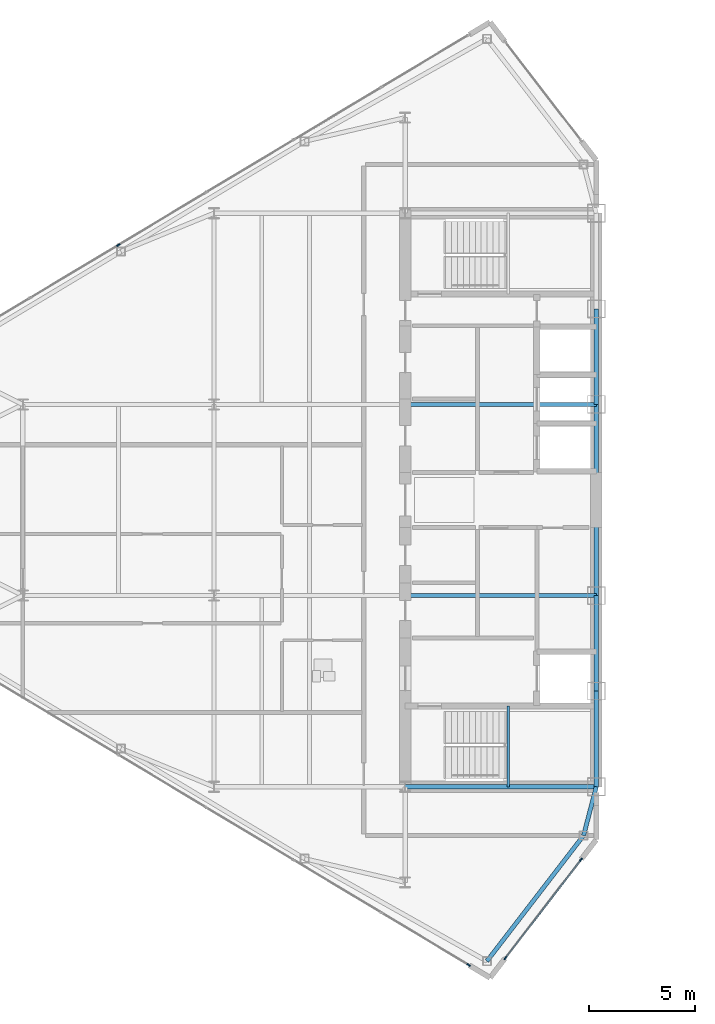
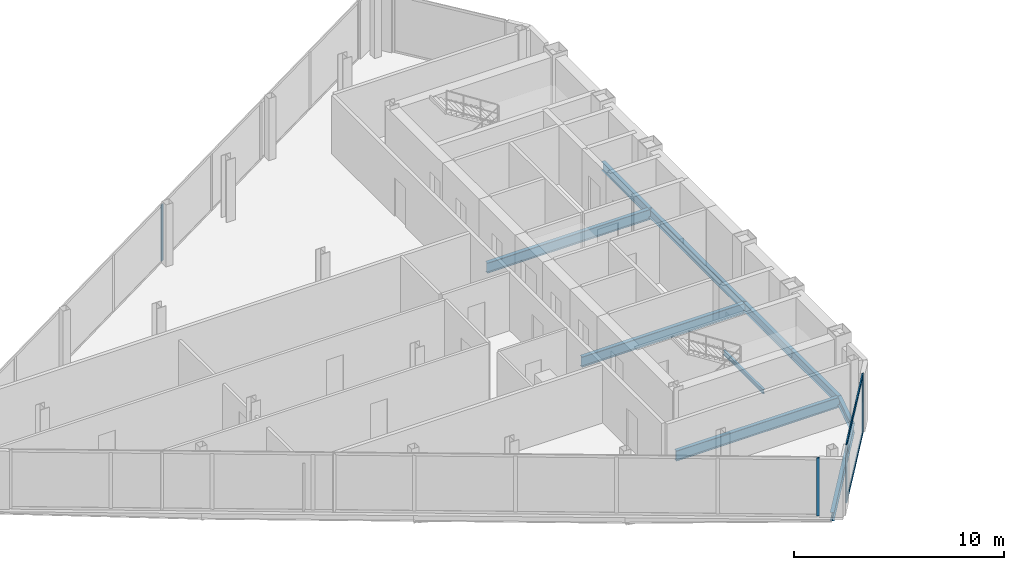
# One storey, part 8 of 25: 10 beams, 6 members, 3 elements without a shape of their own.
"""IFC4 building model written with IfcOpenShell, lengths in metres."""

import ifcopenshell
import ifcopenshell.guid

model = None  # the IFC model being written
_history = None  # IfcOwnerHistory: only IFC2X3 demands one
_inside = {}  # id of a spatial element -> (the spatial element, [elements in it])
_under = {}  # id of a project, library or spatial element -> (it, [spatial elements below it])
_declared = {}  # id of a project -> (the project, [libraries it declares])
_typed = {}  # id of a type object -> (the type object, [elements of that type])
_made_of = {}  # id of a material, layer set ... -> (it, [elements and type objects made of it])


def new_model(schema):
    """Start an empty IFC model of exactly this schema.

    Asked for "IFC4X3", IfcOpenShell would pick the latest addendum, in which some entities
    have other attributes; the version numbers below select the first issue.
    IFC2X3 requires an IfcOwnerHistory on every rooted entity: one is made here for all.
    """
    global model, _history
    if schema == "IFC4X3":
        model = ifcopenshell.file(schema_version=(4, 3, 0, 0))
    else:
        model = ifcopenshell.file(schema=schema)
    _inside.clear()
    _under.clear()
    _declared.clear()
    _typed.clear()
    _made_of.clear()
    _history = None
    if model.schema == "IFC2X3":
        org = make("IfcOrganization", Name="unknown")
        user = make(
            "IfcPersonAndOrganization",
            ThePerson=make("IfcPerson", FamilyName="unknown"),
            TheOrganization=org,
        )
        app = make(
            "IfcApplication",
            ApplicationDeveloper=org,
            Version="unknown",
            ApplicationFullName="unknown",
            ApplicationIdentifier="unknown",
        )
        _history = make(
            "IfcOwnerHistory",
            OwningUser=user,
            OwningApplication=app,
            ChangeAction="ADDED",
            CreationDate=0,
        )
    return model


def make(cls, **values):
    """One entity of the class cls with the attributes given. An attribute that is None is left unset."""
    return model.create_entity(
        cls, **{name: value for name, value in values.items() if value is not None}
    )


def rooted(cls, **values):
    """An entity with a GlobalId (a new one), such as an element, a storey or a relation."""
    return make(cls, GlobalId=ifcopenshell.guid.new(), OwnerHistory=_history, **values)


def si_unit(unit_type, name, prefix=None):
    """IfcSIUnit, for example si_unit("LENGTHUNIT", "METRE", prefix="MILLI")."""
    return make("IfcSIUnit", UnitType=unit_type, Prefix=prefix, Name=name)


def assignment(units):
    """IfcUnitAssignment: the units of a project."""
    return None if units is None else make("IfcUnitAssignment", Units=units)


def point(xyz):
    """IfcCartesianPoint."""
    return None if xyz is None else make("IfcCartesianPoint", Coordinates=xyz)


def direction(xyz):
    """IfcDirection."""
    return None if xyz is None else make("IfcDirection", DirectionRatios=xyz)


def frame(location, z_axis=None, x_axis=None):
    """IfcAxis2Placement3D, a coordinate frame: its origin and axes. An axis left out is left unset."""
    return make(
        "IfcAxis2Placement3D",
        Location=point(location),
        Axis=direction(z_axis),
        RefDirection=direction(x_axis),
    )


def frame_2d(location, x_axis=None):
    """IfcAxis2Placement2D, a coordinate frame in the plane: its origin and x axis."""
    return make(
        "IfcAxis2Placement2D", Location=point(location), RefDirection=direction(x_axis)
    )


def origin():
    """The frame at (0, 0, 0) with its axes left unset."""
    return frame((0.0, 0.0, 0.0))


def origin_2d():
    """The frame at (0, 0) in the plane with its x axis left unset."""
    return frame_2d((0.0, 0.0))


def place(relative_to, where):
    """IfcLocalPlacement: puts the frame where relative to a parent placement (None: the world)."""
    return make(
        "IfcLocalPlacement", PlacementRelTo=relative_to, RelativePlacement=where
    )


def context(
    kind, dimensions, precision=None, world=None, true_north=None, identifier=None
):
    """IfcGeometricRepresentationContext, for example the 3D "Model" context."""
    return make(
        "IfcGeometricRepresentationContext",
        ContextIdentifier=identifier,
        ContextType=kind,
        CoordinateSpaceDimension=dimensions,
        Precision=precision,
        WorldCoordinateSystem=world,
        TrueNorth=true_north,
    )


def subcontext(parent, identifier, kind, view, scale=None):
    """IfcGeometricRepresentationSubContext, for example "Body" below "Model"."""
    return make(
        "IfcGeometricRepresentationSubContext",
        ContextIdentifier=identifier,
        ContextType=kind,
        ParentContext=parent,
        TargetScale=scale,
        TargetView=view,
    )


def project(units=None, contexts=None):
    """IfcProject with its units and contexts."""
    return rooted(
        "IfcProject",
        Name="project",
        RepresentationContexts=contexts,
        UnitsInContext=assignment(units),
    )


def spatial(cls, under=None, at=None, **own):
    """A site, building, storey or space (cls), placed at a placement, below another one or the project."""
    s = rooted(cls, ObjectPlacement=at, **own)
    if under is not None:
        _under.setdefault(under.id(), (under, []))[1].append(s)
    return s


def profile(cls, at=None, kind="AREA", **sizes):
    """A parametric profile (cls). Its sizes go by their IFC names, for example OverallWidth=200.0."""
    return make(cls, ProfileType=kind, Position=at, **sizes)


def rectangle(**sizes):
    """IfcRectangleProfileDef."""
    return profile("IfcRectangleProfileDef", **sizes)


def i_section(**sizes):
    """IfcIShapeProfileDef."""
    return profile("IfcIShapeProfileDef", **sizes)


def extrude(swept, where, along, depth):
    """IfcExtrudedAreaSolid: the profile swept, set in the frame where, extruded along a direction by depth."""
    return make(
        "IfcExtrudedAreaSolid",
        SweptArea=swept,
        Position=where,
        ExtrudedDirection=direction(along),
        Depth=depth,
    )


def shape(context_of_items, identifier, shape_type, items):
    """IfcShapeRepresentation: the items that make up one representation, for example the "Body"."""
    return make(
        "IfcShapeRepresentation",
        ContextOfItems=context_of_items,
        RepresentationIdentifier=identifier,
        RepresentationType=shape_type,
        Items=items,
    )


def source(mapping_origin, context_of_items, identifier, shape_type, items):
    """IfcRepresentationMap: a shape defined once, which mapped items show again and again."""
    return make(
        "IfcRepresentationMap",
        MappingOrigin=mapping_origin,
        MappedRepresentation=shape(context_of_items, identifier, shape_type, items),
    )


def transform(
    local_origin,
    x_axis=None,
    y_axis=None,
    z_axis=None,
    scale=None,
    scale2=None,
    scale3=None,
    uniform=True,
):
    """IfcCartesianTransformationOperator3D, or its non-uniform kind. x_axis, y_axis, z_axis: its Axis1, 2, 3."""
    if uniform:
        return make(
            "IfcCartesianTransformationOperator3D",
            Axis1=direction(x_axis),
            Axis2=direction(y_axis),
            LocalOrigin=point(local_origin),
            Scale=scale,
            Axis3=direction(z_axis),
        )
    return make(
        "IfcCartesianTransformationOperator3DnonUniform",
        Axis1=direction(x_axis),
        Axis2=direction(y_axis),
        LocalOrigin=point(local_origin),
        Scale=scale,
        Axis3=direction(z_axis),
        Scale2=scale2,
        Scale3=scale3,
    )


def mapped(mapping_source, mapping_target):
    """IfcMappedItem: shows the shape of a source again, moved by a transform."""
    return make(
        "IfcMappedItem", MappingSource=mapping_source, MappingTarget=mapping_target
    )


def material(Name=None, Category=None):
    """IfcMaterial."""
    return make("IfcMaterial", Name=Name, Category=Category)


def layer(
    of_material, thickness, ventilated=None, Name=None, Category=None, Priority=None
):
    """IfcMaterialLayer: one layer of a wall or slab, of a material (None: an air gap)."""
    return make(
        "IfcMaterialLayer",
        Material=of_material,
        LayerThickness=thickness,
        IsVentilated=ventilated,
        Name=Name,
        Category=Category,
        Priority=Priority,
    )


def layer_set(layers, Name=None):
    """IfcMaterialLayerSet."""
    return make("IfcMaterialLayerSet", MaterialLayers=layers, LayerSetName=Name)


def material_profile(
    of_material, cross_section, Name=None, Category=None, Priority=None
):
    """IfcMaterialProfile: a cross section and its material."""
    return make(
        "IfcMaterialProfile",
        Name=Name,
        Material=of_material,
        Profile=cross_section,
        Priority=Priority,
        Category=Category,
    )


def profile_set(profiles, Name=None, composite=None):
    """IfcMaterialProfileSet."""
    return make(
        "IfcMaterialProfileSet",
        Name=Name,
        MaterialProfiles=profiles,
        CompositeProfile=composite,
    )


def made_of(thing, what):
    """Note that an element or type object is made of a material, layer set ...; save() writes the relation."""
    if what is not None:
        _made_of.setdefault(what.id(), (what, []))[1].append(thing)
    return thing


def type_object(cls, material=None, **own):
    """A type object (cls), such as IfcWallType, which elements share."""
    return made_of(rooted(cls, **own), material)


def type_shapes(of_type, sources):
    """Give a type object the sources (RepresentationMaps) that its elements show as mapped items."""
    of_type.RepresentationMaps = sources


def element(
    cls,
    number,
    at=None,
    inside=None,
    cuts=None,
    type_object=None,
    material=None,
    context=None,
    identifier="Body",
    shape_type=None,
    held_by="IfcProductDefinitionShape",
    body=None,
    shapes=None,
    **own,
):
    """One element of the class cls, such as IfcWall. Its Tag is "e" and its number.

    at: its placement. inside: the storey or other place that contains it. cuts: it is an
    opening in that element (IfcRelVoidsElement). A single representation is given by context,
    identifier, shape_type and body (its items); several are given by shapes. held_by: the class
    of the entity that holds the representations. save() writes the other relations.
    """
    e = rooted(cls, Tag="e%d" % number, ObjectPlacement=at, **own)
    if body is not None:
        shapes = [shape(context, identifier, shape_type, body)]
    if shapes is not None:
        e.Representation = make(held_by, Representations=shapes)
    if inside is not None:
        _inside.setdefault(inside.id(), (inside, []))[1].append(e)
    if cuts is not None:
        rooted(
            "IfcRelVoidsElement", RelatingBuildingElement=cuts, RelatedOpeningElement=e
        )
    if type_object is not None:
        _typed.setdefault(type_object.id(), (type_object, []))[1].append(e)
    return made_of(e, material)


def aggregate(whole, parts):
    """IfcRelAggregates: a whole, such as a stair, and the parts it consists of."""
    return rooted("IfcRelAggregates", RelatingObject=whole, RelatedObjects=parts)


def save(model, path):
    """Write the relations noted so far, then the file.

    IfcRelAggregates (storeys below a building ...), IfcRelContainedInSpatialStructure (elements
    in a storey), IfcRelDefinesByType, IfcRelAssociatesMaterial and IfcRelDeclares: one each for
    every whole, place, type object, material and project.
    """
    for whole, parts in _under.values():
        aggregate(whole, parts)
    for where, things in _inside.values():
        rooted(
            "IfcRelContainedInSpatialStructure",
            RelatedElements=things,
            RelatingStructure=where,
        )
    for kind, things in _typed.values():
        rooted("IfcRelDefinesByType", RelatedObjects=things, RelatingType=kind)
    for what, things in _made_of.values():
        rooted("IfcRelAssociatesMaterial", RelatedObjects=things, RelatingMaterial=what)
    for by, libraries in _declared.values():
        rooted("IfcRelDeclares", RelatingContext=by, RelatedDefinitions=libraries)
    model.write(path)


model = new_model("IFC4")

# Units and contexts
model_context = context("Model", 3, precision=1e-05, world=origin(), true_north=direction((0.0, 1.0)))
body_context = subcontext(model_context, "Body", "Model", "MODEL_VIEW")
ifc_project = project(units=[si_unit("LENGTHUNIT", "METRE"), si_unit("AREAUNIT", "SQUARE_METRE"), si_unit("VOLUMEUNIT", "CUBIC_METRE"), si_unit("PLANEANGLEUNIT", "RADIAN"), si_unit("MASSUNIT", "GRAM", prefix="KILO")], contexts=[model_context])

# Site, building, storey
site_placement = place(None, origin())
site = spatial("IfcSite", under=ifc_project, at=site_placement, CompositionType="ELEMENT")
building_placement = place(site_placement, origin())
building = spatial("IfcBuilding", under=site, at=building_placement, Name="Seokmaru Belvedere", CompositionType="ELEMENT")
storey_placement = place(building_placement, frame((0.0, 0.0, 206.699951171875)))
storey = spatial("IfcBuildingStorey", under=building, at=storey_placement, Name="L55", CompositionType="ELEMENT", Elevation=206.699951171875)

# Beams
ifc_material_1 = material(Name="Steel SM355 (355 MPa)", Category="steel")
ifc_material_profile_1 = material_profile(ifc_material_1, i_section(OverallWidth=0.199951171875, OverallDepth=0.5, WebThickness=0.010009765625, FlangeThickness=0.01611328125, at=origin_2d()), Name="H-500x200x10x16")
ifc_profile_set_1 = profile_set([ifc_material_profile_1], Name="Steel SM355 (355 MPa)")
beam_type_1 = type_object("IfcBeamType", Name="Perimeter Spandrel Beam H-500", PredefinedType="SPANDREL", material=ifc_profile_set_1)
shared_shape_1 = source(origin(), body_context, "Body", "SweptSolid", [
    extrude(i_section(OverallWidth=0.199951171875, OverallDepth=0.5, WebThickness=0.010009765625, FlangeThickness=0.01611328125, at=origin_2d()), origin(), (0.0, 0.0, 1.0), 4.5),
])
for number, where, z_axis, x_axis, name in (
    (1, (-27.5, -13.5, -0.469970703125), (0.0, 1.0, 0.0), (-1.0, 0.0, 0.0), "L55 W Portal Spine Spandrel 1"),
    (2, (-27.5, -9.0, -0.469970703125), (0.0, 1.0, 0.0), (-1.0, 0.0, 0.0), "L55 W Portal Spine Spandrel 2"),
    (3, (-27.5, 4.5, -0.469970703125), (0.0, 1.0, 0.0), (-1.0, 0.0, 0.0), "L55 W Portal Spine Spandrel 4"),
):
    element("IfcBeam", number, at=place(storey_placement, frame(where, z_axis=z_axis, x_axis=x_axis)), inside=storey, type_object=beam_type_1, Name=name, PredefinedType="SPANDREL", context=body_context, shape_type="MappedRepresentation", body=[
        mapped(shared_shape_1, transform((0.0, 0.0, 0.0), scale=1.0)),
    ])
shared_shape_2 = source(origin(), body_context, "Body", "SweptSolid", [
    extrude(i_section(OverallWidth=0.199951171875, OverallDepth=0.5, WebThickness=0.010009765625, FlangeThickness=0.01611328125, at=origin_2d()), origin(), (0.0, 0.0, 1.0), 9.0),
])
beam_1_placement = place(storey_placement, frame((-27.5, -4.5, -0.469970703125), z_axis=(0.0, 1.0, 0.0), x_axis=(-1.0, 0.0, 0.0)))
element("IfcBeam", 4, at=beam_1_placement, inside=storey, type_object=beam_type_1, Name="L55 W Portal Spine Spandrel 3", PredefinedType="SPANDREL", context=body_context, shape_type="MappedRepresentation", body=[
    mapped(shared_shape_2, transform((0.0, 0.0, 0.0), scale=1.0)),
])
ifc_material_profile_2 = material_profile(ifc_material_1, i_section(OverallWidth=0.199951171875, OverallDepth=0.60009765625, WebThickness=0.010986328125, FlangeThickness=0.01708984375, at=origin_2d()), Name="H-600x200x11x17")
ifc_profile_set_2 = profile_set([ifc_material_profile_2], Name="Steel SM355 (355 MPa)")
beam_type_2 = type_object("IfcBeamType", Name="Primary Floor Girder H-600", PredefinedType="BEAM", material=ifc_profile_set_2)
shared_shape_3 = source(origin(), body_context, "Body", "SweptSolid", [
    extrude(i_section(OverallWidth=0.199951171875, OverallDepth=0.60009765625, WebThickness=0.010986328125, FlangeThickness=0.01708984375, at=origin_2d()), origin(), (0.0, 0.0, 1.0), 9.0),
])
type_shapes(beam_type_2, [shared_shape_3])
for number, where, z_axis, x_axis, name in (
    (5, (-36.5, -13.5, -0.52001953125), (1.0, 0.0, 0.0), (0.0, 1.0, 0.0), "L55 W Core Tie Girder 1"),
    (6, (-36.5, -4.5, -0.52001953125), (1.0, 0.0, 0.0), (0.0, 1.0, 0.0), "L55 W Core Tie Girder 2"),
    (7, (-36.5, 4.5, -0.52001953125), (1.0, 0.0, 0.0), (0.0, 1.0, 0.0), "L55 W Core Tie Girder 3"),
):
    element("IfcBeam", number, at=place(storey_placement, frame(where, z_axis=z_axis, x_axis=x_axis)), inside=storey, type_object=beam_type_2, Name=name, PredefinedType="BEAM", context=body_context, shape_type="MappedRepresentation", body=[
        mapped(shared_shape_3, transform((0.0, 0.0, 0.0), scale=1.0)),
    ])
shared_shape_4 = source(origin(), body_context, "Body", "SweptSolid", [
    extrude(i_section(OverallWidth=0.199951171875, OverallDepth=0.5, WebThickness=0.010009765625, FlangeThickness=0.01611328125, at=origin_2d()), origin(), (0.0, 0.0, 1.0), 7.4619140625),
])
beam_2_placement = place(storey_placement, frame((-32.649658203125, -21.71044921875, -0.469970703125), z_axis=(0.609702854945, 0.792630070507, 0.0), x_axis=(-0.792630070507, 0.609702854945, 0.0)))
element("IfcBeam", 8, at=beam_2_placement, inside=storey, type_object=beam_type_1, Name="L55 W Shoulder Chamfer Spandrel S", PredefinedType="SPANDREL", context=body_context, shape_type="MappedRepresentation", body=[
    mapped(shared_shape_4, transform((0.0, 0.0, 0.0), scale=1.0)),
])
shared_shape_5 = source(origin(), body_context, "Body", "SweptSolid", [
    extrude(i_section(OverallWidth=0.199951171875, OverallDepth=0.5, WebThickness=0.010009765625, FlangeThickness=0.01611328125, at=origin_2d()), origin(), (0.0, 0.0, 1.0), 2.373046875),
])
type_shapes(beam_type_1, [shared_shape_1, shared_shape_2, shared_shape_4, shared_shape_5])
beam_3_placement = place(storey_placement, frame((-28.10009765625, -15.7958984375, -0.469970703125), z_axis=(0.252882558842, 0.967496982648, 0.0), x_axis=(-0.967496982648, 0.252882558842, 0.0)))
element("IfcBeam", 9, at=beam_3_placement, inside=storey, type_object=beam_type_1, Name="L55 W Shoulder Spine Spandrel S", PredefinedType="SPANDREL", context=body_context, shape_type="MappedRepresentation", body=[
    mapped(shared_shape_5, transform((0.0, 0.0, 0.0), scale=1.0)),
])

# Curtain wall, member
ifc_material_2 = material(Name="Bronze Triple Insulating Glass", Category="glass")
ifc_layer = layer(ifc_material_2, 0.179931640625)
ifc_layer_set = layer_set([ifc_layer], Name="Bronze Triple Insulating Glass")
curtain_wall_type = type_object("IfcCurtainWallType", Name="High-Rise Wind-Corner Curtain Wall System CW-5", PredefinedType="NOTDEFINED", material=ifc_layer_set)
curtain_wall_1_placement = place(storey_placement, origin())
curtain_wall_1 = element("IfcCurtainWall", 10, at=curtain_wall_1_placement, inside=storey, type_object=curtain_wall_type, Name="L55 Curtain Wall WF3", PredefinedType="NOTDEFINED")
ifc_material_3 = material(Name="Anodised Bronze Aluminium", Category="aluminium")
ifc_material_profile_3 = material_profile(ifc_material_3, rectangle(XDim=0.06494140625, YDim=0.179931640625, at=origin_2d()), Name="CW-M-65x180")
ifc_profile_set_3 = profile_set([ifc_material_profile_3], Name="Anodised Bronze Aluminium")
member_type_1 = type_object("IfcMemberType", Name="Bronze Unitised Mullion 65x180", PredefinedType="MULLION", material=ifc_profile_set_3)
shared_shape_6 = source(origin(), body_context, "Body", "SweptSolid", [
    extrude(rectangle(XDim=0.06494140625, YDim=0.179931640625, at=origin_2d()), origin(), (0.0, 0.0, 1.0), 3.25),
])
member_1_placement = place(storey_placement, frame((-50.0, 12.0, 0.06494140625), z_axis=(0.0, 0.0, 1.0), x_axis=(0.514494909364, -0.85749343335, 0.0)))
member_1 = element("IfcMember", 11, at=member_1_placement, type_object=member_type_1, Name="CW:L55:WF3 Mullion 5", PredefinedType="MULLION", context=body_context, shape_type="MappedRepresentation", body=[
    mapped(shared_shape_6, transform((0.0, 0.0, 0.0), scale=1.0)),
])
aggregate(curtain_wall_1, [member_1])

curtain_wall_2_placement = place(storey_placement, origin())
curtain_wall_2 = element("IfcCurtainWall", 12, at=curtain_wall_2_placement, inside=storey, type_object=curtain_wall_type, Name="L55 Curtain Wall WF5", PredefinedType="NOTDEFINED")
shared_shape_7 = source(origin(), body_context, "Body", "SweptSolid", [
    extrude(rectangle(XDim=0.06494140625, YDim=0.179931640625, at=origin_2d()), origin(), (0.0, 0.0, 1.0), 3.380126953125),
])
type_shapes(member_type_1, [shared_shape_6, shared_shape_7])
member_2_placement = place(storey_placement, frame((-33.513916015625, -21.8916015625, 0.0), z_axis=(0.0, 0.0, 1.0), x_axis=(0.514494909364, 0.85749343335, 0.0)))
member_2 = element("IfcMember", 13, at=member_2_placement, type_object=member_type_1, Name="CW:L55:WF5 Mullion 9", PredefinedType="MULLION", context=body_context, shape_type="MappedRepresentation", body=[
    mapped(shared_shape_7, transform((0.0, 0.0, 0.0), scale=1.0)),
])
aggregate(curtain_wall_2, [member_2])

# Curtain wall, members
curtain_wall_3_placement = place(storey_placement, origin())
curtain_wall_3 = element("IfcCurtainWall", 14, at=curtain_wall_3_placement, inside=storey, type_object=curtain_wall_type, Name="L55 Curtain Wall WF6", PredefinedType="NOTDEFINED")
member_3_placement = place(storey_placement, frame((-31.779052734375, -21.562744140625, 0.0), z_axis=(0.0, 0.0, 1.0), x_axis=(-0.792631353244, 0.609701187349, 0.0)))
member_3 = element("IfcMember", 15, at=member_3_placement, type_object=member_type_1, Name="CW:L55:WF6 Mullion 1", PredefinedType="MULLION", context=body_context, shape_type="MappedRepresentation", body=[
    mapped(shared_shape_7, transform((0.0, 0.0, 0.0), scale=1.0)),
])
member_4_placement = place(storey_placement, frame((-28.220947265625, -16.937255859375, 0.0), z_axis=(0.0, 0.0, 1.0), x_axis=(-0.792631353244, 0.609701187349, 0.0)))
member_4 = element("IfcMember", 16, at=member_4_placement, type_object=member_type_1, Name="CW:L55:WF6 Mullion 2", PredefinedType="MULLION", context=body_context, shape_type="MappedRepresentation", body=[
    mapped(shared_shape_7, transform((0.0, 0.0, 0.0), scale=1.0)),
])
ifc_material_profile_4 = material_profile(ifc_material_3, rectangle(XDim=0.06494140625, YDim=0.14990234375, at=origin_2d()), Name="CW-T-65x150")
ifc_profile_set_4 = profile_set([ifc_material_profile_4], Name="Anodised Bronze Aluminium")
member_type_2 = type_object("IfcMemberType", Name="Bronze Unitised Transom 65x150", PredefinedType="USERDEFINED", material=ifc_profile_set_4)
shared_shape_8 = source(origin(), body_context, "Body", "SweptSolid", [
    extrude(rectangle(XDim=0.06494140625, YDim=0.14990234375, at=origin_2d()), origin(), (0.0, 0.0, 1.0), 5.77099609375),
])
type_shapes(member_type_2, [shared_shape_8])
member_5_placement = place(storey_placement, frame((-31.75927734375, -21.537109375, 0.032470703125), z_axis=(0.60970258286, 0.792630279799, 0.0), x_axis=(-0.792630279799, 0.60970258286, 0.0)))
member_5 = element("IfcMember", 17, at=member_5_placement, type_object=member_type_2, Name="CW:L55:WF6 Continuous Transom 1", ObjectType="TRANSOM", PredefinedType="USERDEFINED", context=body_context, shape_type="MappedRepresentation", body=[
    mapped(shared_shape_8, transform((0.0, 0.0, 0.0), scale=1.0)),
])
member_6_placement = place(storey_placement, frame((-31.75927734375, -21.537109375, 3.34765625), z_axis=(0.60970258286, 0.792630279799, 0.0), x_axis=(-0.792630279799, 0.60970258286, 0.0)))
member_6 = element("IfcMember", 18, at=member_6_placement, type_object=member_type_2, Name="CW:L55:WF6 Continuous Transom 2", ObjectType="TRANSOM", PredefinedType="USERDEFINED", context=body_context, shape_type="MappedRepresentation", body=[
    mapped(shared_shape_8, transform((0.0, 0.0, 0.0), scale=1.0)),
])
aggregate(curtain_wall_3, [member_3, member_4, member_5, member_6])

# Beam
ifc_material_profile_5 = material_profile(ifc_material_1, i_section(OverallWidth=0.125, OverallDepth=0.25, WebThickness=0.006103515625, FlangeThickness=0.009033203125, at=origin_2d()), Name="H-250x125x6x9")
ifc_profile_set_5 = profile_set([ifc_material_profile_5], Name="Steel SM355 (355 MPa)")
beam_type_3 = type_object("IfcBeamType", Name="Stair Mid-Landing Support Beam H-250", PredefinedType="JOIST", material=ifc_profile_set_5)
shared_shape_9 = source(origin(), body_context, "Body", "SweptSolid", [
    extrude(i_section(OverallWidth=0.125, OverallDepth=0.25, WebThickness=0.006103515625, FlangeThickness=0.009033203125, at=origin_2d()), origin(), (0.0, 0.0, 1.0), 3.800048828125),
])
type_shapes(beam_type_3, [shared_shape_9])
beam_4_placement = place(storey_placement, frame((-31.64990234375, -13.5, 1.47509765625), z_axis=(0.0, 1.0, 0.0), x_axis=(-1.0, 0.0, 0.0)))
element("IfcBeam", 19, at=beam_4_placement, inside=storey, type_object=beam_type_3, Name="L55 Stair ST-W1 Mid-Landing Support Beam 1", PredefinedType="JOIST", context=body_context, shape_type="MappedRepresentation", body=[
    mapped(shared_shape_9, transform((0.0, 0.0, 0.0), scale=1.0)),
])

save(model, "model.ifc")
